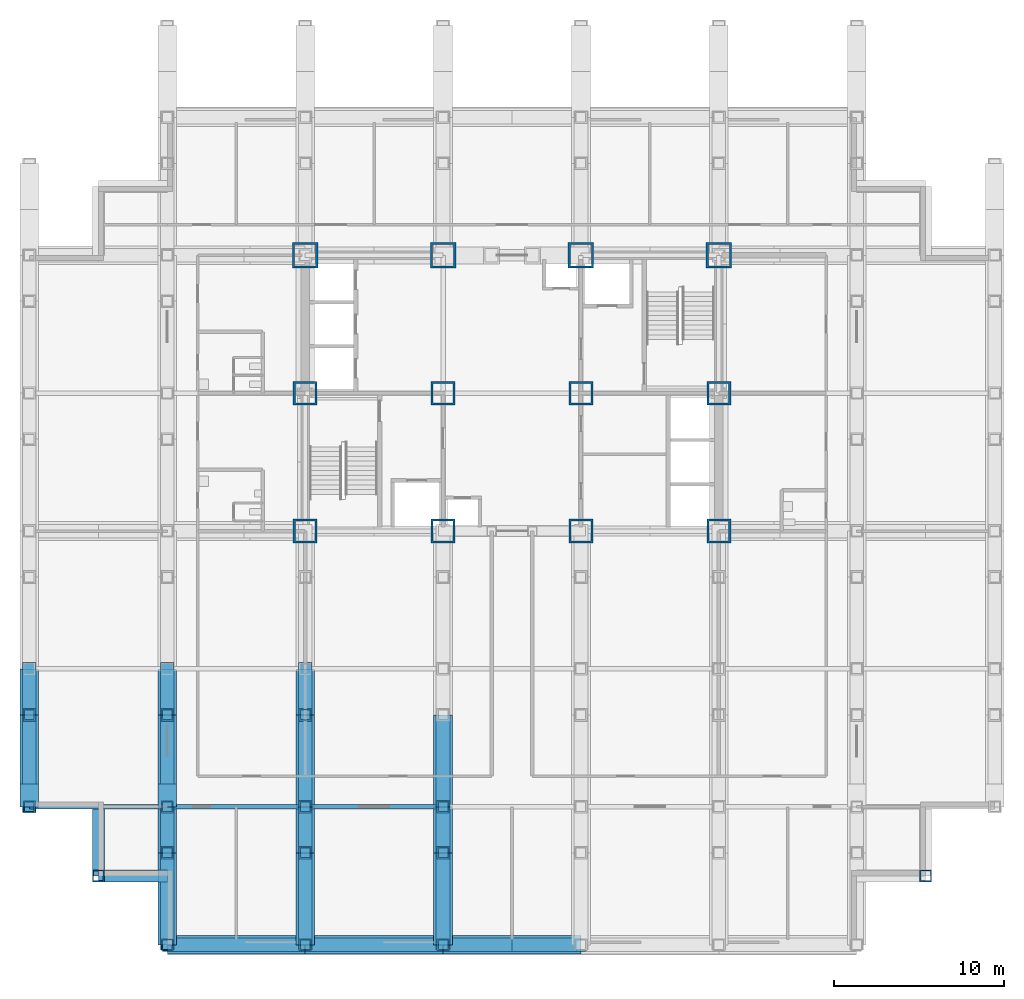
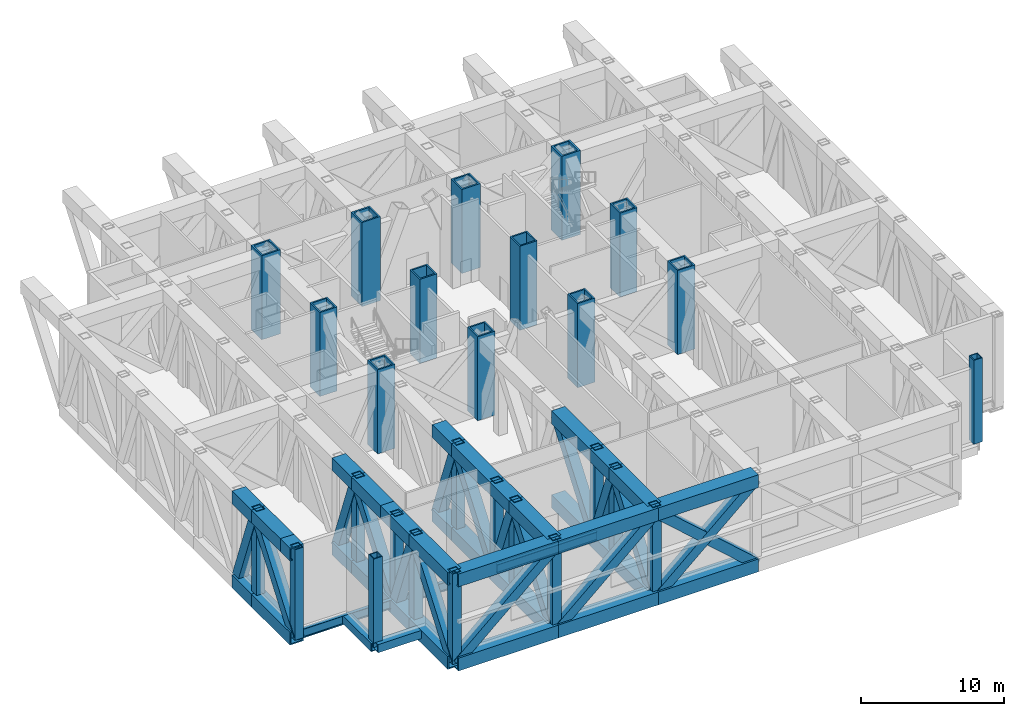
# One storey, part 1 of 13: 64 members, 14 columns, 5 beams.
"""IFC4 building model written with IfcOpenShell, lengths in metres."""

from ifc_helpers import new_model, si_unit, direction, frame, origin, origin_2d, place, context, subcontext, project, spatial, hollow_rectangle, i_section, extrude, material, material_profile, profile_set, type_object, element, save


model = new_model("IFC4")

# Units and contexts
model_context = context("Model", 3, precision=1e-05, world=origin(), true_north=direction((0.0, 1.0)))
body_context = subcontext(model_context, "Body", "Model", "MODEL_VIEW")
ifc_project = project(units=[si_unit("LENGTHUNIT", "METRE"), si_unit("AREAUNIT", "SQUARE_METRE"), si_unit("VOLUMEUNIT", "CUBIC_METRE"), si_unit("PLANEANGLEUNIT", "RADIAN"), si_unit("MASSUNIT", "GRAM", prefix="KILO")], contexts=[model_context])

# Site, building, storey
site_placement = place(None, origin())
site = spatial("IfcSite", under=ifc_project, at=site_placement, CompositionType="ELEMENT")
building_placement = place(site_placement, origin())
building = spatial("IfcBuilding", under=site, at=building_placement, Name="Kopane Lantern Tower", CompositionType="ELEMENT")
storey_placement = place(building_placement, frame((0.0, 0.0, 90.800048828125)))
storey = spatial("IfcBuildingStorey", under=building, at=storey_placement, Name="L23", CompositionType="ELEMENT", Elevation=90.800048828125)

# Columns
ifc_material_1 = material(Name="Steel S355JR", Category="steel")
ifc_material_profile_1 = material_profile(ifc_material_1, hollow_rectangle(XDim=1.39990234375, YDim=1.39990234375, WallThickness=0.1201171875, at=origin_2d()), Name="BOX 1400x1400x120")
ifc_profile_set_1 = profile_set([ifc_material_profile_1], Name="Steel S355JR")
column_type_1 = type_object("IfcColumnType", Name="COLUMN BOX 1400x1400x120", PredefinedType="COLUMN", material=ifc_profile_set_1)
for number, where, z_axis, x_axis, name in (
    (1, (16.199951171875, 24.300048828125, 0.0), (0.0, 0.0, 1.0), (1.0, 0.0, 0.0), "Column 4/E L23"),
    (2, (16.199951171875, 32.39990234375, 0.0), (0.0, 0.0, 1.0), (1.0, 0.0, 0.0), "Column 4/F L23"),
    (3, (24.300048828125, 24.300048828125, 0.0), (0.0, 0.0, 1.0), (1.0, 0.0, 0.0), "Column 5/E L23"),
    (4, (24.300048828125, 32.39990234375, 0.0), (0.0, 0.0, 1.0), (1.0, 0.0, 0.0), "Column 5/F L23"),
    (5, (32.39990234375, 24.300048828125, 0.0), (0.0, 0.0, 1.0), (1.0, 0.0, 0.0), "Column 6/E L23"),
    (6, (32.39990234375, 32.39990234375, 0.0), (0.0, 0.0, 1.0), (1.0, 0.0, 0.0), "Column 6/F L23"),
    (7, (40.5, 24.300048828125, 0.0), (0.0, 0.0, 1.0), (1.0, 0.0, 0.0), "Column 7/E L23"),
    (8, (40.5, 32.39990234375, 0.0), (0.0, 0.0, 1.0), (1.0, 0.0, 0.0), "Column 7/F L23"),
):
    element("IfcColumn", number, at=place(storey_placement, frame(where, z_axis=z_axis, x_axis=x_axis)), inside=storey, type_object=column_type_1, Name=name, PredefinedType="COLUMN", context=body_context, shape_type="SweptSolid", body=[
        extrude(hollow_rectangle(XDim=1.39990234375, YDim=1.39990234375, WallThickness=0.1201171875, at=origin_2d()), origin(), (0.0, 0.0, 1.0), 7.199951171875),
    ])
ifc_material_2 = material(Name="Steel S355JR", Category="steel")
ifc_material_profile_2 = material_profile(ifc_material_2, hollow_rectangle(XDim=1.5, YDim=1.5, WallThickness=0.1298828125, at=origin_2d()), Name="BOX 1500x1500x130")
ifc_profile_set_2 = profile_set([ifc_material_profile_2], Name="Steel S355JR")
column_type_2 = type_object("IfcColumnType", Name="COLUMN BOX 1500x1500x130", PredefinedType="COLUMN", material=ifc_profile_set_2)
for number, where, z_axis, x_axis, name in (
    (9, (16.199951171875, 40.5, 0.0), (0.0, 0.0, 1.0), (1.0, 0.0, 0.0), "Column 4/G L23"),
    (10, (24.300048828125, 40.5, 0.0), (0.0, 0.0, 1.0), (1.0, 0.0, 0.0), "Column 5/G L23"),
    (11, (32.39990234375, 40.5, 0.0), (0.0, 0.0, 1.0), (1.0, 0.0, 0.0), "Column 6/G L23"),
    (12, (40.5, 40.5, 0.0), (0.0, 0.0, 1.0), (1.0, 0.0, 0.0), "Column 7/G L23"),
):
    element("IfcColumn", number, at=place(storey_placement, frame(where, z_axis=z_axis, x_axis=x_axis)), inside=storey, type_object=column_type_2, Name=name, PredefinedType="COLUMN", context=body_context, shape_type="SweptSolid", body=[
        extrude(hollow_rectangle(XDim=1.5, YDim=1.5, WallThickness=0.1298828125, at=origin_2d()), origin(), (0.0, 0.0, 1.0), 7.199951171875),
    ])
ifc_material_3 = material(Name="Steel S355JR", Category="steel")
ifc_material_profile_3 = material_profile(ifc_material_3, hollow_rectangle(XDim=0.699951171875, YDim=0.699951171875, WallThickness=0.070068359375, at=origin_2d()), Name="BOX 700x700x70")
ifc_profile_set_3 = profile_set([ifc_material_profile_3], Name="Steel S355JR")
column_type_3 = type_object("IfcColumnType", Name="COLUMN BOX 700x700x70", PredefinedType="COLUMN", material=ifc_profile_set_3)
for number, where, z_axis, x_axis, name in (
    (13, (4.050048828125, 4.050048828125, 0.0), (0.0, 0.0, 1.0), (1.0, 0.0, 0.0), "Column 4.05/4.05 L23"),
    (14, (52.64990234375, 4.050048828125, 0.0), (0.0, 0.0, 1.0), (1.0, 0.0, 0.0), "Column 52.65/4.05 L23"),
):
    element("IfcColumn", number, at=place(storey_placement, frame(where, z_axis=z_axis, x_axis=x_axis)), inside=storey, type_object=column_type_3, Name=name, PredefinedType="COLUMN", context=body_context, shape_type="SweptSolid", body=[
        extrude(hollow_rectangle(XDim=0.699951171875, YDim=0.699951171875, WallThickness=0.070068359375, at=origin_2d()), origin(), (0.0, 0.0, 1.0), 7.199951171875),
    ])

# Beams
ifc_material_4 = material(Name="Steel S355JR", Category="steel")
ifc_material_profile_4 = material_profile(ifc_material_4, hollow_rectangle(XDim=0.699951171875, YDim=0.699951171875, WallThickness=0.06005859375, at=origin_2d()), Name="BOX 700x700x60")
ifc_profile_set_4 = profile_set([ifc_material_profile_4], Name="Steel S355JR")
beam_type_1 = type_object("IfcBeamType", Name="EDGE BEAM BOX 700x700x60", PredefinedType="BEAM", material=ifc_profile_set_4)
for number, where, z_axis, x_axis, name in (
    (15, (4.050048828125, 4.050048828125, -0.60009765625), (0.0, 1.0, 0.0), (-1.0, 0.0, 0.0), "Edge Beam L23"),
    (16, (4.050048828125, 4.050048828125, -0.60009765625), (1.0, 0.0, 0.0), (0.0, 1.0, 0.0), "Edge Beam L23"),
):
    element("IfcBeam", number, at=place(storey_placement, frame(where, z_axis=z_axis, x_axis=x_axis)), inside=storey, type_object=beam_type_1, Name=name, PredefinedType="BEAM", context=body_context, shape_type="SweptSolid", body=[
        extrude(hollow_rectangle(XDim=0.699951171875, YDim=0.699951171875, WallThickness=0.06005859375, at=origin_2d()), origin(), (0.0, 0.0, 1.0), 4.050048828125),
    ])
ifc_material_5 = material(Name="Steel S355JR", Category="steel")
ifc_material_profile_5 = material_profile(ifc_material_5, i_section(OverallWidth=0.2666015625, OverallDepth=0.76220703125, WebThickness=0.014404296875, FlangeThickness=0.021484375, FilletRadius=0.0166015625, at=origin_2d()), Name="UB 762x267x173")
ifc_profile_set_5 = profile_set([ifc_material_profile_5], Name="Steel S355JR")
beam_type_2 = type_object("IfcBeamType", Name="GIRDER UB 762x267x173", PredefinedType="BEAM", material=ifc_profile_set_5)
beam_1_placement = place(storey_placement, frame((0.0, 8.10009765625, -0.631103515625), z_axis=(1.0, 0.0, 0.0), x_axis=(0.0, 1.0, 0.0)))
element("IfcBeam", 17, at=beam_1_placement, inside=storey, type_object=beam_type_2, Name="Girder L23", PredefinedType="BEAM", context=body_context, shape_type="SweptSolid", body=[
    extrude(i_section(OverallWidth=0.2666015625, OverallDepth=0.76220703125, WebThickness=0.014404296875, FlangeThickness=0.021484375, FilletRadius=0.0166015625, at=origin_2d()), origin(), (0.0, 0.0, 1.0), 8.10009765625),
])
beam_2_placement = place(storey_placement, frame((8.10009765625, 8.10009765625, -0.631103515625), z_axis=(1.0, 0.0, 0.0), x_axis=(0.0, 1.0, 0.0)))
element("IfcBeam", 18, at=beam_2_placement, inside=storey, type_object=beam_type_2, Name="Girder L23", PredefinedType="BEAM", context=body_context, shape_type="SweptSolid", body=[
    extrude(i_section(OverallWidth=0.2666015625, OverallDepth=0.76220703125, WebThickness=0.014404296875, FlangeThickness=0.021484375, FilletRadius=0.0166015625, at=origin_2d()), origin(), (0.0, 0.0, 1.0), 8.099853515625),
])
beam_3_placement = place(storey_placement, frame((16.199951171875, 8.10009765625, -0.631103515625), z_axis=(1.0, 0.0, 0.0), x_axis=(0.0, 1.0, 0.0)))
element("IfcBeam", 19, at=beam_3_placement, inside=storey, type_object=beam_type_2, Name="Girder L23", PredefinedType="BEAM", context=body_context, shape_type="SweptSolid", body=[
    extrude(i_section(OverallWidth=0.2666015625, OverallDepth=0.76220703125, WebThickness=0.014404296875, FlangeThickness=0.021484375, FilletRadius=0.0166015625, at=origin_2d()), origin(), (0.0, 0.0, 1.0), 8.10009765625),
])

# Members
ifc_material_6 = material(Name="Steel S355JR", Category="steel")
ifc_material_profile_6 = material_profile(ifc_material_6, hollow_rectangle(XDim=1.10009765625, YDim=1.10009765625, WallThickness=0.10009765625, at=origin_2d()), Name="BOX 1100x1100x100")
ifc_profile_set_6 = profile_set([ifc_material_profile_6], Name="Steel S355JR")
member_type_1 = type_object("IfcMemberType", Name="TRUSS CHORD BOX 1100x1100x100", PredefinedType="CHORD", material=ifc_profile_set_6)
member_1_placement = place(storey_placement, frame((0.0, 8.10009765625, -0.800048828125), z_axis=(0.0, 1.0, 0.0), x_axis=(-1.0, 0.0, 0.0)))
element("IfcMember", 20, at=member_1_placement, inside=storey, type_object=member_type_1, Name="Transfer truss 2 L23 truss chord", PredefinedType="CHORD", context=body_context, shape_type="SweptSolid", body=[
    extrude(hollow_rectangle(XDim=1.10009765625, YDim=1.10009765625, WallThickness=0.10009765625, at=origin_2d()), origin(), (0.0, 0.0, 1.0), 5.39990234375),
])
member_2_placement = place(storey_placement, frame((0.0, 13.5, -0.800048828125), z_axis=(0.0, 1.0, 0.0), x_axis=(-1.0, 0.0, 0.0)))
element("IfcMember", 21, at=member_2_placement, inside=storey, type_object=member_type_1, Name="Transfer truss 2 L23 truss chord", PredefinedType="CHORD", context=body_context, shape_type="SweptSolid", body=[
    extrude(hollow_rectangle(XDim=1.10009765625, YDim=1.10009765625, WallThickness=0.10009765625, at=origin_2d()), origin(), (0.0, 0.0, 1.0), 2.699951171875),
])
member_3_placement = place(storey_placement, frame((0.0, 8.10009765625, 6.39990234375), z_axis=(0.0, 1.0, 0.0), x_axis=(-1.0, 0.0, 0.0)))
element("IfcMember", 22, at=member_3_placement, inside=storey, type_object=member_type_1, Name="Transfer truss 2 L23 truss chord", PredefinedType="CHORD", context=body_context, shape_type="SweptSolid", body=[
    extrude(hollow_rectangle(XDim=1.10009765625, YDim=1.10009765625, WallThickness=0.10009765625, at=origin_2d()), origin(), (0.0, 0.0, 1.0), 1.349853515625),
])
member_4_placement = place(storey_placement, frame((0.0, 9.449951171875, 6.39990234375), z_axis=(0.0, 1.0, 0.0), x_axis=(-1.0, 0.0, 0.0)))
element("IfcMember", 23, at=member_4_placement, inside=storey, type_object=member_type_1, Name="Transfer truss 2 L23 truss chord", PredefinedType="CHORD", context=body_context, shape_type="SweptSolid", body=[
    extrude(hollow_rectangle(XDim=1.10009765625, YDim=1.10009765625, WallThickness=0.10009765625, at=origin_2d()), origin(), (0.0, 0.0, 1.0), 4.050048828125),
])
member_5_placement = place(storey_placement, frame((0.0, 13.5, 6.39990234375), z_axis=(0.0, 1.0, 0.0), x_axis=(-1.0, 0.0, 0.0)))
element("IfcMember", 24, at=member_5_placement, inside=storey, type_object=member_type_1, Name="Transfer truss 2 L23 truss chord", PredefinedType="CHORD", context=body_context, shape_type="SweptSolid", body=[
    extrude(hollow_rectangle(XDim=1.10009765625, YDim=1.10009765625, WallThickness=0.10009765625, at=origin_2d()), origin(), (0.0, 0.0, 1.0), 2.699951171875),
])
member_6_placement = place(storey_placement, frame((8.10009765625, 0.0, -0.800048828125), z_axis=(0.0, 1.0, 0.0), x_axis=(-1.0, 0.0, 0.0)))
element("IfcMember", 25, at=member_6_placement, inside=storey, type_object=member_type_1, Name="Transfer truss 3 L23 truss chord", PredefinedType="CHORD", context=body_context, shape_type="SweptSolid", body=[
    extrude(hollow_rectangle(XDim=1.10009765625, YDim=1.10009765625, WallThickness=0.10009765625, at=origin_2d()), origin(), (0.0, 0.0, 1.0), 5.39990234375),
])
member_7_placement = place(storey_placement, frame((8.10009765625, 5.39990234375, -0.800048828125), z_axis=(0.0, 1.0, 0.0), x_axis=(-1.0, 0.0, 0.0)))
element("IfcMember", 26, at=member_7_placement, inside=storey, type_object=member_type_1, Name="Transfer truss 3 L23 truss chord", PredefinedType="CHORD", context=body_context, shape_type="SweptSolid", body=[
    extrude(hollow_rectangle(XDim=1.10009765625, YDim=1.10009765625, WallThickness=0.10009765625, at=origin_2d()), origin(), (0.0, 0.0, 1.0), 2.7001953125),
])
member_8_placement = place(storey_placement, frame((8.10009765625, 8.10009765625, -0.800048828125), z_axis=(0.0, 1.0, 0.0), x_axis=(-1.0, 0.0, 0.0)))
element("IfcMember", 27, at=member_8_placement, inside=storey, type_object=member_type_1, Name="Transfer truss 3 L23 truss chord", PredefinedType="CHORD", context=body_context, shape_type="SweptSolid", body=[
    extrude(hollow_rectangle(XDim=1.10009765625, YDim=1.10009765625, WallThickness=0.10009765625, at=origin_2d()), origin(), (0.0, 0.0, 1.0), 5.39990234375),
])
member_9_placement = place(storey_placement, frame((8.10009765625, 13.5, -0.800048828125), z_axis=(0.0, 1.0, 0.0), x_axis=(-1.0, 0.0, 0.0)))
element("IfcMember", 28, at=member_9_placement, inside=storey, type_object=member_type_1, Name="Transfer truss 3 L23 truss chord", PredefinedType="CHORD", context=body_context, shape_type="SweptSolid", body=[
    extrude(hollow_rectangle(XDim=1.10009765625, YDim=1.10009765625, WallThickness=0.10009765625, at=origin_2d()), origin(), (0.0, 0.0, 1.0), 2.699951171875),
])
member_10_placement = place(storey_placement, frame((8.10009765625, 0.0, 6.39990234375), z_axis=(0.0, 1.0, 0.0), x_axis=(-1.0, 0.0, 0.0)))
element("IfcMember", 29, at=member_10_placement, inside=storey, type_object=member_type_1, Name="Transfer truss 3 L23 truss chord", PredefinedType="CHORD", context=body_context, shape_type="SweptSolid", body=[
    extrude(hollow_rectangle(XDim=1.10009765625, YDim=1.10009765625, WallThickness=0.10009765625, at=origin_2d()), origin(), (0.0, 0.0, 1.0), 5.39990234375),
])
member_11_placement = place(storey_placement, frame((8.10009765625, 5.39990234375, 6.39990234375), z_axis=(0.0, 1.0, 0.0), x_axis=(-1.0, 0.0, 0.0)))
element("IfcMember", 30, at=member_11_placement, inside=storey, type_object=member_type_1, Name="Transfer truss 3 L23 truss chord", PredefinedType="CHORD", context=body_context, shape_type="SweptSolid", body=[
    extrude(hollow_rectangle(XDim=1.10009765625, YDim=1.10009765625, WallThickness=0.10009765625, at=origin_2d()), origin(), (0.0, 0.0, 1.0), 2.7001953125),
])
member_12_placement = place(storey_placement, frame((8.10009765625, 8.10009765625, 6.39990234375), z_axis=(0.0, 1.0, 0.0), x_axis=(-1.0, 0.0, 0.0)))
element("IfcMember", 31, at=member_12_placement, inside=storey, type_object=member_type_1, Name="Transfer truss 3 L23 truss chord", PredefinedType="CHORD", context=body_context, shape_type="SweptSolid", body=[
    extrude(hollow_rectangle(XDim=1.10009765625, YDim=1.10009765625, WallThickness=0.10009765625, at=origin_2d()), origin(), (0.0, 0.0, 1.0), 1.349853515625),
])
member_13_placement = place(storey_placement, frame((8.10009765625, 9.449951171875, 6.39990234375), z_axis=(0.0, 1.0, 0.0), x_axis=(-1.0, 0.0, 0.0)))
element("IfcMember", 32, at=member_13_placement, inside=storey, type_object=member_type_1, Name="Transfer truss 3 L23 truss chord", PredefinedType="CHORD", context=body_context, shape_type="SweptSolid", body=[
    extrude(hollow_rectangle(XDim=1.10009765625, YDim=1.10009765625, WallThickness=0.10009765625, at=origin_2d()), origin(), (0.0, 0.0, 1.0), 4.050048828125),
])
member_14_placement = place(storey_placement, frame((8.10009765625, 13.5, 6.39990234375), z_axis=(0.0, 1.0, 0.0), x_axis=(-1.0, 0.0, 0.0)))
element("IfcMember", 33, at=member_14_placement, inside=storey, type_object=member_type_1, Name="Transfer truss 3 L23 truss chord", PredefinedType="CHORD", context=body_context, shape_type="SweptSolid", body=[
    extrude(hollow_rectangle(XDim=1.10009765625, YDim=1.10009765625, WallThickness=0.10009765625, at=origin_2d()), origin(), (0.0, 0.0, 1.0), 2.699951171875),
])
member_15_placement = place(storey_placement, frame((16.199951171875, 0.0, -0.800048828125), z_axis=(0.0, 1.0, 0.0), x_axis=(-1.0, 0.0, 0.0)))
element("IfcMember", 34, at=member_15_placement, inside=storey, type_object=member_type_1, Name="Transfer truss 4 L23 truss chord", PredefinedType="CHORD", context=body_context, shape_type="SweptSolid", body=[
    extrude(hollow_rectangle(XDim=1.10009765625, YDim=1.10009765625, WallThickness=0.10009765625, at=origin_2d()), origin(), (0.0, 0.0, 1.0), 5.39990234375),
])
member_16_placement = place(storey_placement, frame((16.199951171875, 5.39990234375, -0.800048828125), z_axis=(0.0, 1.0, 0.0), x_axis=(-1.0, 0.0, 0.0)))
element("IfcMember", 35, at=member_16_placement, inside=storey, type_object=member_type_1, Name="Transfer truss 4 L23 truss chord", PredefinedType="CHORD", context=body_context, shape_type="SweptSolid", body=[
    extrude(hollow_rectangle(XDim=1.10009765625, YDim=1.10009765625, WallThickness=0.10009765625, at=origin_2d()), origin(), (0.0, 0.0, 1.0), 2.7001953125),
])
member_17_placement = place(storey_placement, frame((16.199951171875, 8.10009765625, -0.800048828125), z_axis=(0.0, 1.0, 0.0), x_axis=(-1.0, 0.0, 0.0)))
element("IfcMember", 36, at=member_17_placement, inside=storey, type_object=member_type_1, Name="Transfer truss 4 L23 truss chord", PredefinedType="CHORD", context=body_context, shape_type="SweptSolid", body=[
    extrude(hollow_rectangle(XDim=1.10009765625, YDim=1.10009765625, WallThickness=0.10009765625, at=origin_2d()), origin(), (0.0, 0.0, 1.0), 5.39990234375),
])
member_18_placement = place(storey_placement, frame((16.199951171875, 13.5, -0.800048828125), z_axis=(0.0, 1.0, 0.0), x_axis=(-1.0, 0.0, 0.0)))
element("IfcMember", 37, at=member_18_placement, inside=storey, type_object=member_type_1, Name="Transfer truss 4 L23 truss chord", PredefinedType="CHORD", context=body_context, shape_type="SweptSolid", body=[
    extrude(hollow_rectangle(XDim=1.10009765625, YDim=1.10009765625, WallThickness=0.10009765625, at=origin_2d()), origin(), (0.0, 0.0, 1.0), 2.699951171875),
])
member_19_placement = place(storey_placement, frame((16.199951171875, 0.0, 6.39990234375), z_axis=(0.0, 1.0, 0.0), x_axis=(-1.0, 0.0, 0.0)))
element("IfcMember", 38, at=member_19_placement, inside=storey, type_object=member_type_1, Name="Transfer truss 4 L23 truss chord", PredefinedType="CHORD", context=body_context, shape_type="SweptSolid", body=[
    extrude(hollow_rectangle(XDim=1.10009765625, YDim=1.10009765625, WallThickness=0.10009765625, at=origin_2d()), origin(), (0.0, 0.0, 1.0), 5.39990234375),
])
member_20_placement = place(storey_placement, frame((16.199951171875, 5.39990234375, 6.39990234375), z_axis=(0.0, 1.0, 0.0), x_axis=(-1.0, 0.0, 0.0)))
element("IfcMember", 39, at=member_20_placement, inside=storey, type_object=member_type_1, Name="Transfer truss 4 L23 truss chord", PredefinedType="CHORD", context=body_context, shape_type="SweptSolid", body=[
    extrude(hollow_rectangle(XDim=1.10009765625, YDim=1.10009765625, WallThickness=0.10009765625, at=origin_2d()), origin(), (0.0, 0.0, 1.0), 2.7001953125),
])
member_21_placement = place(storey_placement, frame((16.199951171875, 8.10009765625, 6.39990234375), z_axis=(0.0, 1.0, 0.0), x_axis=(-1.0, 0.0, 0.0)))
element("IfcMember", 40, at=member_21_placement, inside=storey, type_object=member_type_1, Name="Transfer truss 4 L23 truss chord", PredefinedType="CHORD", context=body_context, shape_type="SweptSolid", body=[
    extrude(hollow_rectangle(XDim=1.10009765625, YDim=1.10009765625, WallThickness=0.10009765625, at=origin_2d()), origin(), (0.0, 0.0, 1.0), 5.39990234375),
])
member_22_placement = place(storey_placement, frame((16.199951171875, 13.5, 6.39990234375), z_axis=(0.0, 1.0, 0.0), x_axis=(-1.0, 0.0, 0.0)))
element("IfcMember", 41, at=member_22_placement, inside=storey, type_object=member_type_1, Name="Transfer truss 4 L23 truss chord", PredefinedType="CHORD", context=body_context, shape_type="SweptSolid", body=[
    extrude(hollow_rectangle(XDim=1.10009765625, YDim=1.10009765625, WallThickness=0.10009765625, at=origin_2d()), origin(), (0.0, 0.0, 1.0), 2.699951171875),
])
member_23_placement = place(storey_placement, frame((24.300048828125, 0.0, -0.800048828125), z_axis=(0.0, 1.0, 0.0), x_axis=(-1.0, 0.0, 0.0)))
element("IfcMember", 42, at=member_23_placement, inside=storey, type_object=member_type_1, Name="Transfer truss 5 L23 truss chord", PredefinedType="CHORD", context=body_context, shape_type="SweptSolid", body=[
    extrude(hollow_rectangle(XDim=1.10009765625, YDim=1.10009765625, WallThickness=0.10009765625, at=origin_2d()), origin(), (0.0, 0.0, 1.0), 5.39990234375),
])
member_24_placement = place(storey_placement, frame((24.300048828125, 5.39990234375, -0.800048828125), z_axis=(0.0, 1.0, 0.0), x_axis=(-1.0, 0.0, 0.0)))
element("IfcMember", 43, at=member_24_placement, inside=storey, type_object=member_type_1, Name="Transfer truss 5 L23 truss chord", PredefinedType="CHORD", context=body_context, shape_type="SweptSolid", body=[
    extrude(hollow_rectangle(XDim=1.10009765625, YDim=1.10009765625, WallThickness=0.10009765625, at=origin_2d()), origin(), (0.0, 0.0, 1.0), 2.7001953125),
])
for number, where, z_axis, x_axis, name in (
    (44, (24.300048828125, 8.10009765625, -0.800048828125), (0.0, 1.0, 0.0), (-1.0, 0.0, 0.0), "Transfer truss 5 L23 truss chord"),
    (45, (24.300048828125, 0.0, 6.39990234375), (0.0, 1.0, 0.0), (-1.0, 0.0, 0.0), "Transfer truss 5 L23 truss chord"),
):
    element("IfcMember", number, at=place(storey_placement, frame(where, z_axis=z_axis, x_axis=x_axis)), inside=storey, type_object=member_type_1, Name=name, PredefinedType="CHORD", context=body_context, shape_type="SweptSolid", body=[
        extrude(hollow_rectangle(XDim=1.10009765625, YDim=1.10009765625, WallThickness=0.10009765625, at=origin_2d()), origin(), (0.0, 0.0, 1.0), 5.39990234375),
    ])
member_25_placement = place(storey_placement, frame((24.300048828125, 5.39990234375, 6.39990234375), z_axis=(0.0, 1.0, 0.0), x_axis=(-1.0, 0.0, 0.0)))
element("IfcMember", 46, at=member_25_placement, inside=storey, type_object=member_type_1, Name="Transfer truss 5 L23 truss chord", PredefinedType="CHORD", context=body_context, shape_type="SweptSolid", body=[
    extrude(hollow_rectangle(XDim=1.10009765625, YDim=1.10009765625, WallThickness=0.10009765625, at=origin_2d()), origin(), (0.0, 0.0, 1.0), 2.7001953125),
])
member_26_placement = place(storey_placement, frame((24.300048828125, 8.10009765625, 6.39990234375), z_axis=(0.0, 1.0, 0.0), x_axis=(-1.0, 0.0, 0.0)))
element("IfcMember", 47, at=member_26_placement, inside=storey, type_object=member_type_1, Name="Transfer truss 5 L23 truss chord", PredefinedType="CHORD", context=body_context, shape_type="SweptSolid", body=[
    extrude(hollow_rectangle(XDim=1.10009765625, YDim=1.10009765625, WallThickness=0.10009765625, at=origin_2d()), origin(), (0.0, 0.0, 1.0), 5.39990234375),
])
for number, where, z_axis, x_axis, name in (
    (48, (8.10009765625, 0.0, -0.800048828125), (1.0, 0.0, 0.0), (0.0, 1.0, 0.0), "Belt truss S L23 truss chord"),
    (49, (8.10009765625, 0.0, 6.39990234375), (1.0, 0.0, 0.0), (0.0, 1.0, 0.0), "Belt truss S L23 truss chord"),
):
    element("IfcMember", number, at=place(storey_placement, frame(where, z_axis=z_axis, x_axis=x_axis)), inside=storey, type_object=member_type_1, Name=name, PredefinedType="CHORD", context=body_context, shape_type="SweptSolid", body=[
        extrude(hollow_rectangle(XDim=1.10009765625, YDim=1.10009765625, WallThickness=0.10009765625, at=origin_2d()), origin(), (0.0, 0.0, 1.0), 8.099853515625),
    ])
for number, where, z_axis, x_axis, name in (
    (50, (16.199951171875, 0.0, -0.800048828125), (1.0, 0.0, 0.0), (0.0, 1.0, 0.0), "Belt truss S L23 truss chord"),
    (51, (16.199951171875, 0.0, 6.39990234375), (1.0, 0.0, 0.0), (0.0, 1.0, 0.0), "Belt truss S L23 truss chord"),
):
    element("IfcMember", number, at=place(storey_placement, frame(where, z_axis=z_axis, x_axis=x_axis)), inside=storey, type_object=member_type_1, Name=name, PredefinedType="CHORD", context=body_context, shape_type="SweptSolid", body=[
        extrude(hollow_rectangle(XDim=1.10009765625, YDim=1.10009765625, WallThickness=0.10009765625, at=origin_2d()), origin(), (0.0, 0.0, 1.0), 8.10009765625),
    ])
for number, where, z_axis, x_axis, name in (
    (52, (24.300048828125, 0.0, -0.800048828125), (1.0, 0.0, 0.0), (0.0, 1.0, 0.0), "Belt truss S L23 truss chord"),
    (53, (24.300048828125, 0.0, 6.39990234375), (1.0, 0.0, 0.0), (0.0, 1.0, 0.0), "Belt truss S L23 truss chord"),
):
    element("IfcMember", number, at=place(storey_placement, frame(where, z_axis=z_axis, x_axis=x_axis)), inside=storey, type_object=member_type_1, Name=name, PredefinedType="CHORD", context=body_context, shape_type="SweptSolid", body=[
        extrude(hollow_rectangle(XDim=1.10009765625, YDim=1.10009765625, WallThickness=0.10009765625, at=origin_2d()), origin(), (0.0, 0.0, 1.0), 8.099853515625),
    ])
ifc_material_7 = material(Name="Steel S355JR", Category="steel")
ifc_material_profile_7 = material_profile(ifc_material_7, hollow_rectangle(XDim=0.800048828125, YDim=0.800048828125, WallThickness=0.080078125, at=origin_2d()), Name="BOX 800x800x80")
ifc_profile_set_7 = profile_set([ifc_material_profile_7], Name="Steel S355JR")
member_type_2 = type_object("IfcMemberType", Name="TRUSS DIAGONAL BOX 800x800x80", PredefinedType="BRACE", material=ifc_profile_set_7)
member_27_placement = place(storey_placement, frame((0.0, 8.10009765625, -0.800048828125), z_axis=(0.0, 0.599995659666, 0.800003255232), x_axis=(-1.0, 0.0, 0.0)))
element("IfcMember", 54, at=member_27_placement, inside=storey, type_object=member_type_2, Name="Transfer truss 2 L23 truss diagonal", PredefinedType="BRACE", context=body_context, shape_type="SweptSolid", body=[
    extrude(hollow_rectangle(XDim=0.800048828125, YDim=0.800048828125, WallThickness=0.080078125, at=origin_2d()), origin(), (0.0, 0.0, 1.0), 9.0),
])
member_28_placement = place(storey_placement, frame((0.0, 16.199951171875, -0.800048828125), z_axis=(0.0, -0.351119962166, 0.936330482345), x_axis=(1.0, 0.0, 0.0)))
element("IfcMember", 55, at=member_28_placement, inside=storey, type_object=member_type_2, Name="Transfer truss 2 L23 truss diagonal", PredefinedType="BRACE", context=body_context, shape_type="SweptSolid", body=[
    extrude(hollow_rectangle(XDim=0.800048828125, YDim=0.800048828125, WallThickness=0.080078125, at=origin_2d()), origin(), (0.0, 0.0, 1.0), 7.689453125),
])
member_29_placement = place(storey_placement, frame((8.10009765625, 0.0, -0.800048828125), z_axis=(0.0, 0.599995659666, 0.800003255232), x_axis=(-1.0, 0.0, 0.0)))
element("IfcMember", 56, at=member_29_placement, inside=storey, type_object=member_type_2, Name="Transfer truss 3 L23 truss diagonal", PredefinedType="BRACE", context=body_context, shape_type="SweptSolid", body=[
    extrude(hollow_rectangle(XDim=0.800048828125, YDim=0.800048828125, WallThickness=0.080078125, at=origin_2d()), origin(), (0.0, 0.0, 1.0), 9.0),
])
member_30_placement = place(storey_placement, frame((8.10009765625, 8.10009765625, -0.800048828125), z_axis=(0.0, -0.351147797134, 0.936320043878), x_axis=(1.0, 0.0, 0.0)))
element("IfcMember", 57, at=member_30_placement, inside=storey, type_object=member_type_2, Name="Transfer truss 3 L23 truss diagonal", PredefinedType="BRACE", context=body_context, shape_type="SweptSolid", body=[
    extrude(hollow_rectangle(XDim=0.800048828125, YDim=0.800048828125, WallThickness=0.080078125, at=origin_2d()), origin(), (0.0, 0.0, 1.0), 7.689697265625),
])
member_31_placement = place(storey_placement, frame((8.10009765625, 8.10009765625, -0.800048828125), z_axis=(0.0, 0.599995659666, 0.800003255232), x_axis=(-1.0, 0.0, 0.0)))
element("IfcMember", 58, at=member_31_placement, inside=storey, type_object=member_type_2, Name="Transfer truss 3 L23 truss diagonal", PredefinedType="BRACE", context=body_context, shape_type="SweptSolid", body=[
    extrude(hollow_rectangle(XDim=0.800048828125, YDim=0.800048828125, WallThickness=0.080078125, at=origin_2d()), origin(), (0.0, 0.0, 1.0), 9.0),
])
member_32_placement = place(storey_placement, frame((8.10009765625, 16.199951171875, -0.800048828125), z_axis=(0.0, -0.351119962166, 0.936330482345), x_axis=(1.0, 0.0, 0.0)))
element("IfcMember", 59, at=member_32_placement, inside=storey, type_object=member_type_2, Name="Transfer truss 3 L23 truss diagonal", PredefinedType="BRACE", context=body_context, shape_type="SweptSolid", body=[
    extrude(hollow_rectangle(XDim=0.800048828125, YDim=0.800048828125, WallThickness=0.080078125, at=origin_2d()), origin(), (0.0, 0.0, 1.0), 7.689453125),
])
member_33_placement = place(storey_placement, frame((16.199951171875, 0.0, -0.800048828125), z_axis=(0.0, 0.599995659666, 0.800003255232), x_axis=(-1.0, 0.0, 0.0)))
element("IfcMember", 60, at=member_33_placement, inside=storey, type_object=member_type_2, Name="Transfer truss 4 L23 truss diagonal", PredefinedType="BRACE", context=body_context, shape_type="SweptSolid", body=[
    extrude(hollow_rectangle(XDim=0.800048828125, YDim=0.800048828125, WallThickness=0.080078125, at=origin_2d()), origin(), (0.0, 0.0, 1.0), 9.0),
])
member_34_placement = place(storey_placement, frame((16.199951171875, 8.10009765625, -0.800048828125), z_axis=(0.0, -0.351147797134, 0.936320043878), x_axis=(1.0, 0.0, 0.0)))
element("IfcMember", 61, at=member_34_placement, inside=storey, type_object=member_type_2, Name="Transfer truss 4 L23 truss diagonal", PredefinedType="BRACE", context=body_context, shape_type="SweptSolid", body=[
    extrude(hollow_rectangle(XDim=0.800048828125, YDim=0.800048828125, WallThickness=0.080078125, at=origin_2d()), origin(), (0.0, 0.0, 1.0), 7.689697265625),
])
member_35_placement = place(storey_placement, frame((16.199951171875, 8.10009765625, -0.800048828125), z_axis=(0.0, 0.599995659666, 0.800003255232), x_axis=(-1.0, 0.0, 0.0)))
element("IfcMember", 62, at=member_35_placement, inside=storey, type_object=member_type_2, Name="Transfer truss 4 L23 truss diagonal", PredefinedType="BRACE", context=body_context, shape_type="SweptSolid", body=[
    extrude(hollow_rectangle(XDim=0.800048828125, YDim=0.800048828125, WallThickness=0.080078125, at=origin_2d()), origin(), (0.0, 0.0, 1.0), 9.0),
])
member_36_placement = place(storey_placement, frame((16.199951171875, 16.199951171875, -0.800048828125), z_axis=(0.0, -0.351119962166, 0.936330482345), x_axis=(1.0, 0.0, 0.0)))
element("IfcMember", 63, at=member_36_placement, inside=storey, type_object=member_type_2, Name="Transfer truss 4 L23 truss diagonal", PredefinedType="BRACE", context=body_context, shape_type="SweptSolid", body=[
    extrude(hollow_rectangle(XDim=0.800048828125, YDim=0.800048828125, WallThickness=0.080078125, at=origin_2d()), origin(), (0.0, 0.0, 1.0), 7.689453125),
])
member_37_placement = place(storey_placement, frame((24.300048828125, 0.0, -0.800048828125), z_axis=(0.0, 0.599995659666, 0.800003255232), x_axis=(-1.0, 0.0, 0.0)))
element("IfcMember", 64, at=member_37_placement, inside=storey, type_object=member_type_2, Name="Transfer truss 5 L23 truss diagonal", PredefinedType="BRACE", context=body_context, shape_type="SweptSolid", body=[
    extrude(hollow_rectangle(XDim=0.800048828125, YDim=0.800048828125, WallThickness=0.080078125, at=origin_2d()), origin(), (0.0, 0.0, 1.0), 9.0),
])
member_38_placement = place(storey_placement, frame((24.300048828125, 8.10009765625, -0.800048828125), z_axis=(0.0, -0.351147797134, 0.936320043878), x_axis=(1.0, 0.0, 0.0)))
element("IfcMember", 65, at=member_38_placement, inside=storey, type_object=member_type_2, Name="Transfer truss 5 L23 truss diagonal", PredefinedType="BRACE", context=body_context, shape_type="SweptSolid", body=[
    extrude(hollow_rectangle(XDim=0.800048828125, YDim=0.800048828125, WallThickness=0.080078125, at=origin_2d()), origin(), (0.0, 0.0, 1.0), 7.689697265625),
])
member_39_placement = place(storey_placement, frame((24.300048828125, 8.10009765625, -0.800048828125), z_axis=(0.0, 0.599995659666, 0.800003255232), x_axis=(-1.0, 0.0, 0.0)))
element("IfcMember", 66, at=member_39_placement, inside=storey, type_object=member_type_2, Name="Transfer truss 5 L23 truss diagonal", PredefinedType="BRACE", context=body_context, shape_type="SweptSolid", body=[
    extrude(hollow_rectangle(XDim=0.800048828125, YDim=0.800048828125, WallThickness=0.080078125, at=origin_2d()), origin(), (0.0, 0.0, 1.0), 9.0),
])
for number, where, z_axis, x_axis, name in (
    (67, (8.10009765625, 0.0, -0.800048828125), (0.747405589929, 0.0, 0.664368033655), (0.0, 1.0, 0.0), "Belt truss S L23 truss diagonal"),
    (68, (16.199951171875, 0.0, -0.800048828125), (0.747415533118, 0.0, 0.664356847525), (0.0, 1.0, 0.0), "Belt truss S L23 truss diagonal"),
    (69, (24.300048828125, 0.0, -0.800048828125), (0.747405589929, 0.0, 0.664368033655), (0.0, 1.0, 0.0), "Belt truss S L23 truss diagonal"),
    (70, (32.39990234375, 0.0, -0.800048828125), (-0.747405589929, 0.0, 0.664368033655), (0.0, -1.0, 0.0), "Belt truss S L23 truss diagonal"),
):
    element("IfcMember", number, at=place(storey_placement, frame(where, z_axis=z_axis, x_axis=x_axis)), inside=storey, type_object=member_type_2, Name=name, PredefinedType="BRACE", context=body_context, shape_type="SweptSolid", body=[
        extrude(hollow_rectangle(XDim=0.800048828125, YDim=0.800048828125, WallThickness=0.080078125, at=origin_2d()), origin(), (0.0, 0.0, 1.0), 10.83740234375),
    ])
ifc_material_8 = material(Name="Steel S355JR", Category="steel")
ifc_material_profile_8 = material_profile(ifc_material_8, hollow_rectangle(XDim=0.699951171875, YDim=0.699951171875, WallThickness=0.070068359375, at=origin_2d()), Name="BOX 700x700x70")
ifc_profile_set_8 = profile_set([ifc_material_profile_8], Name="Steel S355JR")
member_type_3 = type_object("IfcMemberType", Name="TRUSS POST BOX 700x700x70", PredefinedType="POST", material=ifc_profile_set_8)
for number, where, z_axis, x_axis, name in (
    (71, (0.0, 8.10009765625, -0.800048828125), (0.0, 0.0, 1.0), (1.0, 0.0, 0.0), "Transfer truss 2 L23 truss post"),
    (72, (0.0, 13.5, -0.800048828125), (0.0, 0.0, 1.0), (1.0, 0.0, 0.0), "Transfer truss 2 L23 truss post"),
    (73, (8.10009765625, 0.0, -0.800048828125), (0.0, 0.0, 1.0), (1.0, 0.0, 0.0), "Transfer truss 3 L23 truss post"),
    (74, (8.10009765625, 5.39990234375, -0.800048828125), (0.0, 0.0, 1.0), (1.0, 0.0, 0.0), "Transfer truss 3 L23 truss post"),
    (75, (8.10009765625, 8.10009765625, -0.800048828125), (0.0, 0.0, 1.0), (1.0, 0.0, 0.0), "Transfer truss 3 L23 truss post"),
    (76, (8.10009765625, 13.5, -0.800048828125), (0.0, 0.0, 1.0), (1.0, 0.0, 0.0), "Transfer truss 3 L23 truss post"),
    (77, (16.199951171875, 0.0, -0.800048828125), (0.0, 0.0, 1.0), (1.0, 0.0, 0.0), "Transfer truss 4 L23 truss post"),
    (78, (16.199951171875, 5.39990234375, -0.800048828125), (0.0, 0.0, 1.0), (1.0, 0.0, 0.0), "Transfer truss 4 L23 truss post"),
    (79, (16.199951171875, 8.10009765625, -0.800048828125), (0.0, 0.0, 1.0), (1.0, 0.0, 0.0), "Transfer truss 4 L23 truss post"),
    (80, (16.199951171875, 13.5, -0.800048828125), (0.0, 0.0, 1.0), (1.0, 0.0, 0.0), "Transfer truss 4 L23 truss post"),
    (81, (24.300048828125, 0.0, -0.800048828125), (0.0, 0.0, 1.0), (1.0, 0.0, 0.0), "Transfer truss 5 L23 truss post"),
    (82, (24.300048828125, 5.39990234375, -0.800048828125), (0.0, 0.0, 1.0), (1.0, 0.0, 0.0), "Transfer truss 5 L23 truss post"),
    (83, (24.300048828125, 8.10009765625, -0.800048828125), (0.0, 0.0, 1.0), (1.0, 0.0, 0.0), "Transfer truss 5 L23 truss post"),
):
    element("IfcMember", number, at=place(storey_placement, frame(where, z_axis=z_axis, x_axis=x_axis)), inside=storey, type_object=member_type_3, Name=name, PredefinedType="POST", context=body_context, shape_type="SweptSolid", body=[
        extrude(hollow_rectangle(XDim=0.699951171875, YDim=0.699951171875, WallThickness=0.070068359375, at=origin_2d()), origin(), (0.0, 0.0, 1.0), 7.75),
    ])

save(model, "model.ifc")
